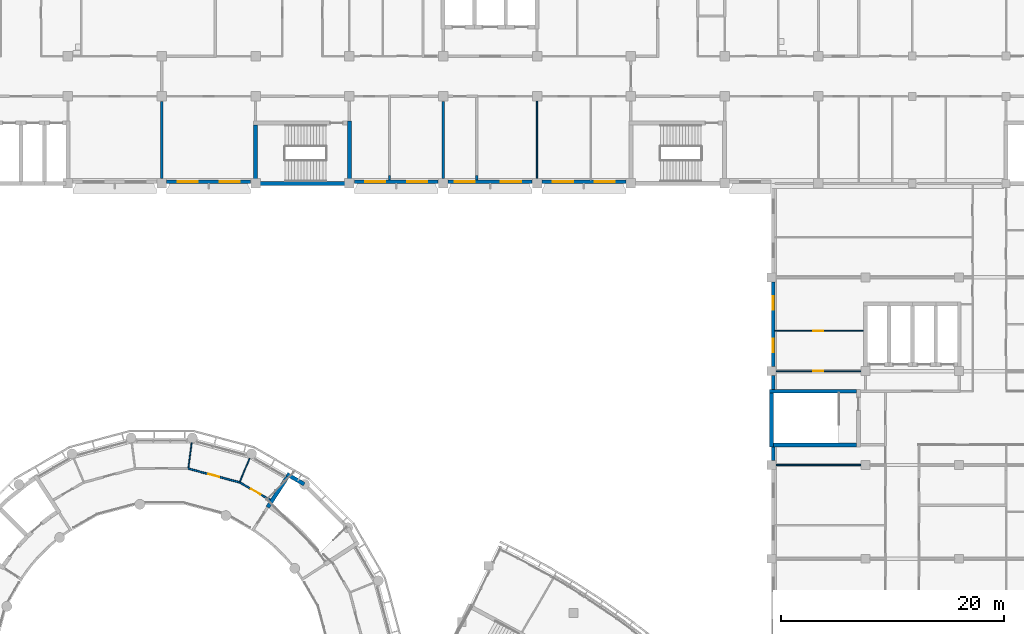
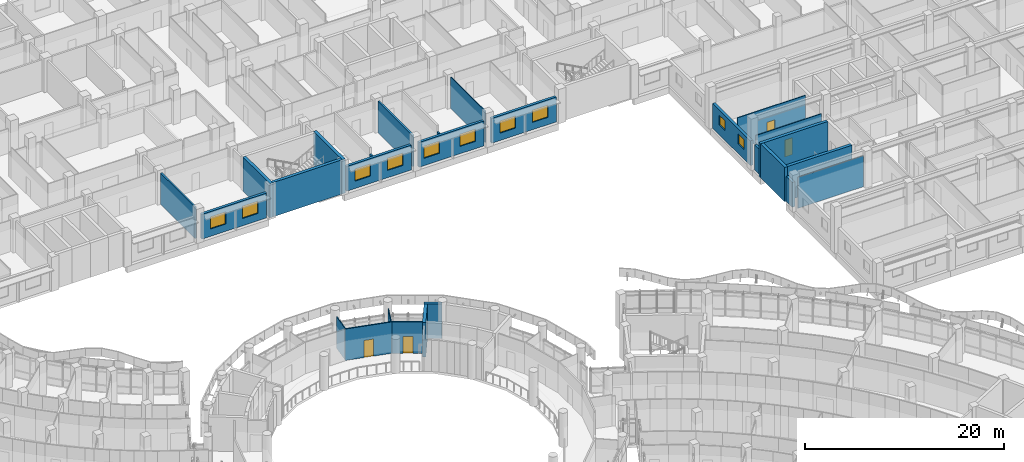
# One storey, part 61 of 109: 27 walls, 10 windows, 4 doors, 14 openings.
"""IFC4 building model written with IfcOpenShell, lengths in metres."""

from ifc_helpers import new_model, si_unit, direction, frame, frame_2d, origin, place, context, subcontext, project, spatial, rectangle, extrude, material, layer, layer_set, type_object, element, fill, save


model = new_model("IFC4")

# Units and contexts
model_context = context("Model", 3, precision=1e-05, world=origin(), true_north=direction((0.0, 1.0)))
body_context = subcontext(model_context, "Body", "Model", "MODEL_VIEW")
ifc_project = project(units=[si_unit("LENGTHUNIT", "METRE"), si_unit("AREAUNIT", "SQUARE_METRE"), si_unit("VOLUMEUNIT", "CUBIC_METRE"), si_unit("PLANEANGLEUNIT", "RADIAN"), si_unit("MASSUNIT", "GRAM", prefix="KILO")], contexts=[model_context])

# Site, building, storey
site_placement = place(None, origin())
site = spatial("IfcSite", under=ifc_project, at=site_placement, CompositionType="ELEMENT")
building_placement = place(site_placement, origin())
building = spatial("IfcBuilding", under=site, at=building_placement, Name="Bougainvillea Quay General Hospital", CompositionType="ELEMENT")
storey_placement = place(building_placement, frame((0.0, 0.0, 12.60009765625)))
storey = spatial("IfcBuildingStorey", under=building, at=storey_placement, Name="L02", CompositionType="ELEMENT", Elevation=12.60009765625)

# Wall, openings, windows
ifc_material_1 = material(Name="Pale stone rainscreen cladding on insulated masonry backing, pale stone", Category="masonry")
ifc_layer_1 = layer(ifc_material_1, 0.300048828125)
ifc_layer_set_1 = layer_set([ifc_layer_1], Name="Pale stone rainscreen cladding on insulated masonry backing, pale stone")
wall_type_1 = type_object("IfcWallType", Name="External wall pale stone rainscreen 300", PredefinedType="STANDARD", material=ifc_layer_set_1)
wall_1_placement = place(storey_placement, frame((163.949951171875, 108.800048828125, 0.0), z_axis=(0.0, 0.0, 1.0), x_axis=(0.0, -1.0, 0.0)))
wall_1 = element("IfcWall", 1, at=wall_1_placement, inside=storey, type_object=wall_type_1, Name="External wall wall/V3/L02/p0/00b", PredefinedType="STANDARD", context=body_context, shape_type="SweptSolid", body=[
    extrude(rectangle(XDim=7.60009765625, YDim=0.300048828125, at=frame_2d((3.800048828125, 0.0))), origin(), (0.0, 0.0, 1.0), 3.0498046875),
])
opening_1_placement = place(wall_1_placement, frame((1.300048828125, 0.0, 1.199951171875)))
opening_1 = element("IfcOpeningElement", 2, at=opening_1_placement, cuts=wall_1, Name="Opening W2", PredefinedType="OPENING", context=body_context, shape_type="SweptSolid", body=[
    extrude(rectangle(XDim=1.199951171875, YDim=1.199951171875, at=frame_2d((0.60009765625, 0.60009765625))), frame((0.0, 0.159912109375, 0.0), z_axis=(0.0, -1.0, 0.0), x_axis=(1.0, 0.0, 0.0)), (0.0, 0.0, 1.0), 0.320068359375),
])
opening_2_placement = place(wall_1_placement, frame((5.10009765625, 0.0, 1.199951171875)))
opening_2 = element("IfcOpeningElement", 3, at=opening_2_placement, cuts=wall_1, Name="Opening W2", PredefinedType="OPENING", context=body_context, shape_type="SweptSolid", body=[
    extrude(rectangle(XDim=1.199951171875, YDim=1.199951171875, at=frame_2d((0.60009765625, 0.60009765625))), frame((0.0, 0.159912109375, 0.0), z_axis=(0.0, -1.0, 0.0), x_axis=(1.0, 0.0, 0.0)), (0.0, 0.0, 1.0), 0.320068359375),
])
ifc_material_2 = material(Name="Aluminium window frame with low-e double glazed unit", Category="aluminium")
window_type_1 = type_object("IfcWindowType", Name="Window W2 1200x1200", PartitioningType="SINGLE_PANEL", PredefinedType="WINDOW", material=ifc_material_2)
window_1_placement = place(opening_1_placement, origin())
window_1 = element("IfcWindow", 4, at=window_1_placement, inside=storey, type_object=window_type_1, Name="Window W2 1", OverallHeight=1.199951171875, OverallWidth=1.199951171875, PartitioningType="SINGLE_PANEL", PredefinedType="WINDOW", context=body_context, shape_type="SweptSolid", body=[
    extrude(rectangle(XDim=1.199951171875, YDim=1.199951171875, at=frame_2d((0.60009765625, 0.60009765625))), frame((0.0, 0.030029296875, 0.0), z_axis=(0.0, -1.0, 0.0), x_axis=(1.0, 0.0, 0.0)), (0.0, 0.0, 1.0), 0.06005859375),
])
fill(opening_1, window_1)
window_2_placement = place(opening_2_placement, origin())
window_2 = element("IfcWindow", 5, at=window_2_placement, inside=storey, type_object=window_type_1, Name="Window W2 2", OverallHeight=1.199951171875, OverallWidth=1.199951171875, PartitioningType="SINGLE_PANEL", PredefinedType="WINDOW", context=body_context, shape_type="SweptSolid", body=[
    extrude(rectangle(XDim=1.199951171875, YDim=1.199951171875, at=frame_2d((0.60009765625, 0.60009765625))), frame((0.0, 0.030029296875, 0.0), z_axis=(0.0, -1.0, 0.0), x_axis=(1.0, 0.0, 0.0)), (0.0, 0.0, 1.0), 0.06005859375),
])
fill(opening_2, window_2)

wall_2_placement = place(storey_placement, frame((109.64990234375, 117.75, 0.0), z_axis=(0.0, 0.0, 1.0), x_axis=(1.0, 0.0, 0.0)))
wall_2 = element("IfcWall", 6, at=wall_2_placement, inside=storey, type_object=wall_type_1, Name="External wall wall/V4/L02/p1/04b", PredefinedType="STANDARD", context=body_context, shape_type="SweptSolid", body=[
    extrude(rectangle(XDim=7.5, YDim=0.300048828125, at=frame_2d((3.75, 0.0))), origin(), (0.0, 0.0, 1.0), 3.0498046875),
])
opening_3_placement = place(wall_2_placement, frame((0.97509765625, 0.0, 0.89990234375)))
opening_3 = element("IfcOpeningElement", 7, at=opening_3_placement, cuts=wall_2, Name="Opening W1", PredefinedType="OPENING", context=body_context, shape_type="SweptSolid", body=[
    extrude(rectangle(XDim=1.800048828125, YDim=1.5, at=frame_2d((0.89990234375, 0.75))), frame((0.0, 0.159912109375, 0.0), z_axis=(0.0, -1.0, 0.0), x_axis=(1.0, 0.0, 0.0)), (0.0, 0.0, 1.0), 0.320068359375),
])
opening_4_placement = place(wall_2_placement, frame((4.72509765625, 0.0, 0.89990234375)))
opening_4 = element("IfcOpeningElement", 8, at=opening_4_placement, cuts=wall_2, Name="Opening W1", PredefinedType="OPENING", context=body_context, shape_type="SweptSolid", body=[
    extrude(rectangle(XDim=1.800048828125, YDim=1.5, at=frame_2d((0.89990234375, 0.75))), frame((0.0, 0.159912109375, 0.0), z_axis=(0.0, -1.0, 0.0), x_axis=(1.0, 0.0, 0.0)), (0.0, 0.0, 1.0), 0.320068359375),
])
window_type_2 = type_object("IfcWindowType", Name="Window W1 1800x1500", PartitioningType="DOUBLE_PANEL_VERTICAL", PredefinedType="WINDOW", material=ifc_material_2)
window_3_placement = place(opening_3_placement, origin())
window_3 = element("IfcWindow", 9, at=window_3_placement, inside=storey, type_object=window_type_2, Name="Window W1 1", OverallHeight=1.5, OverallWidth=1.800048828125, PartitioningType="SINGLE_PANEL", PredefinedType="WINDOW", context=body_context, shape_type="SweptSolid", body=[
    extrude(rectangle(XDim=1.800048828125, YDim=1.5, at=frame_2d((0.89990234375, 0.75))), frame((0.0, 0.030029296875, 0.0), z_axis=(0.0, -1.0, 0.0), x_axis=(1.0, 0.0, 0.0)), (0.0, 0.0, 1.0), 0.06005859375),
])
fill(opening_3, window_3)
window_4_placement = place(opening_4_placement, origin())
window_4 = element("IfcWindow", 10, at=window_4_placement, inside=storey, type_object=window_type_2, Name="Window W1 2", OverallHeight=1.5, OverallWidth=1.800048828125, PartitioningType="SINGLE_PANEL", PredefinedType="WINDOW", context=body_context, shape_type="SweptSolid", body=[
    extrude(rectangle(XDim=1.800048828125, YDim=1.5, at=frame_2d((0.89990234375, 0.75))), frame((0.0, 0.030029296875, 0.0), z_axis=(0.0, -1.0, 0.0), x_axis=(1.0, 0.0, 0.0)), (0.0, 0.0, 1.0), 0.06005859375),
])
fill(opening_4, window_4)

wall_3_placement = place(storey_placement, frame((126.449951171875, 117.75, 0.0), z_axis=(0.0, 0.0, 1.0), x_axis=(1.0, 0.0, 0.0)))
wall_3 = element("IfcWall", 11, at=wall_3_placement, inside=storey, type_object=wall_type_1, Name="External wall wall/V4/L02/p1/04c", PredefinedType="STANDARD", context=body_context, shape_type="SweptSolid", body=[
    extrude(rectangle(XDim=7.5, YDim=0.300048828125, at=frame_2d((3.75, 0.0))), origin(), (0.0, 0.0, 1.0), 3.0498046875),
])
opening_5_placement = place(wall_3_placement, frame((0.97509765625, 0.0, 0.89990234375)))
opening_5 = element("IfcOpeningElement", 12, at=opening_5_placement, cuts=wall_3, Name="Opening W1", PredefinedType="OPENING", context=body_context, shape_type="SweptSolid", body=[
    extrude(rectangle(XDim=1.800048828125, YDim=1.5, at=frame_2d((0.89990234375, 0.75))), frame((0.0, 0.159912109375, 0.0), z_axis=(0.0, -1.0, 0.0), x_axis=(1.0, 0.0, 0.0)), (0.0, 0.0, 1.0), 0.320068359375),
])
opening_6_placement = place(wall_3_placement, frame((4.72509765625, 0.0, 0.89990234375)))
opening_6 = element("IfcOpeningElement", 13, at=opening_6_placement, cuts=wall_3, Name="Opening W1", PredefinedType="OPENING", context=body_context, shape_type="SweptSolid", body=[
    extrude(rectangle(XDim=1.800048828125, YDim=1.5, at=frame_2d((0.89990234375, 0.75))), frame((0.0, 0.159912109375, 0.0), z_axis=(0.0, -1.0, 0.0), x_axis=(1.0, 0.0, 0.0)), (0.0, 0.0, 1.0), 0.320068359375),
])
window_5_placement = place(opening_5_placement, origin())
window_5 = element("IfcWindow", 14, at=window_5_placement, inside=storey, type_object=window_type_2, Name="Window W1 1", OverallHeight=1.5, OverallWidth=1.800048828125, PartitioningType="SINGLE_PANEL", PredefinedType="WINDOW", context=body_context, shape_type="SweptSolid", body=[
    extrude(rectangle(XDim=1.800048828125, YDim=1.5, at=frame_2d((0.89990234375, 0.75))), frame((0.0, 0.030029296875, 0.0), z_axis=(0.0, -1.0, 0.0), x_axis=(1.0, 0.0, 0.0)), (0.0, 0.0, 1.0), 0.06005859375),
])
fill(opening_5, window_5)
window_6_placement = place(opening_6_placement, origin())
window_6 = element("IfcWindow", 15, at=window_6_placement, inside=storey, type_object=window_type_2, Name="Window W1 2", OverallHeight=1.5, OverallWidth=1.800048828125, PartitioningType="SINGLE_PANEL", PredefinedType="WINDOW", context=body_context, shape_type="SweptSolid", body=[
    extrude(rectangle(XDim=1.800048828125, YDim=1.5, at=frame_2d((0.89990234375, 0.75))), frame((0.0, 0.030029296875, 0.0), z_axis=(0.0, -1.0, 0.0), x_axis=(1.0, 0.0, 0.0)), (0.0, 0.0, 1.0), 0.06005859375),
])
fill(opening_6, window_6)

wall_4_placement = place(storey_placement, frame((134.85009765625, 117.75, 0.0), z_axis=(0.0, 0.0, 1.0), x_axis=(1.0, 0.0, 0.0)))
wall_4 = element("IfcWall", 16, at=wall_4_placement, inside=storey, type_object=wall_type_1, Name="External wall wall/V4/L02/p1/04d", PredefinedType="STANDARD", context=body_context, shape_type="SweptSolid", body=[
    extrude(rectangle(XDim=7.5, YDim=0.300048828125, at=frame_2d((3.75, 0.0))), origin(), (0.0, 0.0, 1.0), 3.0498046875),
])
opening_7_placement = place(wall_4_placement, frame((0.574951171875, 0.0, 0.89990234375)))
opening_7 = element("IfcOpeningElement", 17, at=opening_7_placement, cuts=wall_4, Name="Opening W1", PredefinedType="OPENING", context=body_context, shape_type="SweptSolid", body=[
    extrude(rectangle(XDim=1.800048828125, YDim=1.5, at=frame_2d((0.89990234375, 0.75))), frame((0.0, 0.159912109375, 0.0), z_axis=(0.0, -1.0, 0.0), x_axis=(1.0, 0.0, 0.0)), (0.0, 0.0, 1.0), 0.320068359375),
])
opening_8_placement = place(wall_4_placement, frame((4.72509765625, 0.0, 0.89990234375)))
opening_8 = element("IfcOpeningElement", 18, at=opening_8_placement, cuts=wall_4, Name="Opening W1", PredefinedType="OPENING", context=body_context, shape_type="SweptSolid", body=[
    extrude(rectangle(XDim=1.800048828125, YDim=1.5, at=frame_2d((0.89990234375, 0.75))), frame((0.0, 0.159912109375, 0.0), z_axis=(0.0, -1.0, 0.0), x_axis=(1.0, 0.0, 0.0)), (0.0, 0.0, 1.0), 0.320068359375),
])
window_7_placement = place(opening_7_placement, origin())
window_7 = element("IfcWindow", 19, at=window_7_placement, inside=storey, type_object=window_type_2, Name="Window W1 1", OverallHeight=1.5, OverallWidth=1.800048828125, PartitioningType="SINGLE_PANEL", PredefinedType="WINDOW", context=body_context, shape_type="SweptSolid", body=[
    extrude(rectangle(XDim=1.800048828125, YDim=1.5, at=frame_2d((0.89990234375, 0.75))), frame((0.0, 0.030029296875, 0.0), z_axis=(0.0, -1.0, 0.0), x_axis=(1.0, 0.0, 0.0)), (0.0, 0.0, 1.0), 0.06005859375),
])
fill(opening_7, window_7)
window_8_placement = place(opening_8_placement, origin())
window_8 = element("IfcWindow", 20, at=window_8_placement, inside=storey, type_object=window_type_2, Name="Window W1 2", OverallHeight=1.5, OverallWidth=1.800048828125, PartitioningType="SINGLE_PANEL", PredefinedType="WINDOW", context=body_context, shape_type="SweptSolid", body=[
    extrude(rectangle(XDim=1.800048828125, YDim=1.5, at=frame_2d((0.89990234375, 0.75))), frame((0.0, 0.030029296875, 0.0), z_axis=(0.0, -1.0, 0.0), x_axis=(1.0, 0.0, 0.0)), (0.0, 0.0, 1.0), 0.06005859375),
])
fill(opening_8, window_8)

wall_5_placement = place(storey_placement, frame((143.25, 117.75, 0.0), z_axis=(0.0, 0.0, 1.0), x_axis=(1.0, 0.0, 0.0)))
wall_5 = element("IfcWall", 21, at=wall_5_placement, inside=storey, type_object=wall_type_1, Name="External wall wall/V4/L02/p1/04e", PredefinedType="STANDARD", context=body_context, shape_type="SweptSolid", body=[
    extrude(rectangle(XDim=7.5, YDim=0.300048828125, at=frame_2d((3.75, 0.0))), origin(), (0.0, 0.0, 1.0), 3.0498046875),
])
opening_9_placement = place(wall_5_placement, frame((0.97509765625, 0.0, 0.89990234375)))
opening_9 = element("IfcOpeningElement", 22, at=opening_9_placement, cuts=wall_5, Name="Opening W1", PredefinedType="OPENING", context=body_context, shape_type="SweptSolid", body=[
    extrude(rectangle(XDim=1.800048828125, YDim=1.5, at=frame_2d((0.89990234375, 0.75))), frame((0.0, 0.159912109375, 0.0), z_axis=(0.0, -1.0, 0.0), x_axis=(1.0, 0.0, 0.0)), (0.0, 0.0, 1.0), 0.320068359375),
])
opening_10_placement = place(wall_5_placement, frame((4.72509765625, 0.0, 0.89990234375)))
opening_10 = element("IfcOpeningElement", 23, at=opening_10_placement, cuts=wall_5, Name="Opening W1", PredefinedType="OPENING", context=body_context, shape_type="SweptSolid", body=[
    extrude(rectangle(XDim=1.800048828125, YDim=1.5, at=frame_2d((0.89990234375, 0.75))), frame((0.0, 0.159912109375, 0.0), z_axis=(0.0, -1.0, 0.0), x_axis=(1.0, 0.0, 0.0)), (0.0, 0.0, 1.0), 0.320068359375),
])
window_9_placement = place(opening_9_placement, origin())
window_9 = element("IfcWindow", 24, at=window_9_placement, inside=storey, type_object=window_type_2, Name="Window W1 1", OverallHeight=1.5, OverallWidth=1.800048828125, PartitioningType="SINGLE_PANEL", PredefinedType="WINDOW", context=body_context, shape_type="SweptSolid", body=[
    extrude(rectangle(XDim=1.800048828125, YDim=1.5, at=frame_2d((0.89990234375, 0.75))), frame((0.0, 0.030029296875, 0.0), z_axis=(0.0, -1.0, 0.0), x_axis=(1.0, 0.0, 0.0)), (0.0, 0.0, 1.0), 0.06005859375),
])
fill(opening_9, window_9)
window_10_placement = place(opening_10_placement, origin())
window_10 = element("IfcWindow", 25, at=window_10_placement, inside=storey, type_object=window_type_2, Name="Window W1 2", OverallHeight=1.5, OverallWidth=1.800048828125, PartitioningType="SINGLE_PANEL", PredefinedType="WINDOW", context=body_context, shape_type="SweptSolid", body=[
    extrude(rectangle(XDim=1.800048828125, YDim=1.5, at=frame_2d((0.89990234375, 0.75))), frame((0.0, 0.030029296875, 0.0), z_axis=(0.0, -1.0, 0.0), x_axis=(1.0, 0.0, 0.0)), (0.0, 0.0, 1.0), 0.06005859375),
])
fill(opening_10, window_10)

# Walls
ifc_material_3 = material(Name="Terracotta rainscreen cladding on insulated masonry backing, terracotta", Category="masonry")
ifc_layer_2 = layer(ifc_material_3, 0.300048828125)
ifc_layer_set_2 = layer_set([ifc_layer_2], Name="Terracotta rainscreen cladding on insulated masonry backing, terracotta")
wall_type_2 = type_object("IfcWallType", Name="External wall terracotta rainscreen 300", PredefinedType="STANDARD", material=ifc_layer_set_2)
for number, where, z_axis, x_axis, name in (
    (26, (163.949951171875, 100.39990234375, 0.0), (0.0, 0.0, 1.0), (0.0, -1.0, 0.0), "External wall wall/V3/L02/p0/00c"),
    (27, (163.949951171875, 94.02490234375, 0.0), (0.0, 0.0, 1.0), (0.0, -1.0, 0.0), "External wall wall/V3/L02/p0/00d"),
):
    element("IfcWall", number, at=place(storey_placement, frame(where, z_axis=z_axis, x_axis=x_axis)), inside=storey, type_object=wall_type_2, Name=name, PredefinedType="STANDARD", context=body_context, shape_type="SweptSolid", body=[
        extrude(rectangle(XDim=1.224853515625, YDim=0.300048828125, at=frame_2d((0.6123046875, 0.0))), origin(), (0.0, 0.0, 1.0), 3.0498046875),
    ])
ifc_material_4 = material(Name="Gypsum board partition on steel studs", Category="steel")
ifc_layer_3 = layer(ifc_material_4, 0.10009765625)
ifc_layer_set_3 = layer_set([ifc_layer_3], Name="Gypsum board partition on steel studs")
wall_type_3 = type_object("IfcWallType", Name="Partition 100 Gypsum board partition", PredefinedType="PARTITIONING", material=ifc_layer_set_3)
wall_6_placement = place(storey_placement, frame((164.199951171875, 92.39990234375, 0.0), z_axis=(0.0, 0.0, 1.0), x_axis=(1.0, 0.0, 0.0)))
element("IfcWall", 28, at=wall_6_placement, inside=storey, type_object=wall_type_3, Name="Partition 100 mm", PredefinedType="PARTITIONING", context=body_context, shape_type="SweptSolid", body=[
    extrude(rectangle(XDim=7.60009765625, YDim=0.10009765625, at=frame_2d((3.800048828125, 0.0))), origin(), (0.0, 0.0, 1.0), 3.789794921875),
])

# Wall, opening, door
wall_7_placement = place(storey_placement, frame((164.199951171875, 100.800048828125, 0.0), z_axis=(0.0, 0.0, 1.0), x_axis=(1.0, 0.0, 0.0)))
wall_7 = element("IfcWall", 29, at=wall_7_placement, inside=storey, type_object=wall_type_3, Name="Partition 100 mm", PredefinedType="PARTITIONING", context=body_context, shape_type="SweptSolid", body=[
    extrude(rectangle(XDim=7.60009765625, YDim=0.10009765625, at=frame_2d((3.800048828125, 0.0))), origin(), (0.0, 0.0, 1.0), 3.849853515625),
])
opening_11_placement = place(wall_7_placement, frame((3.35009765625, 0.0, 0.0)))
opening_11 = element("IfcOpeningElement", 30, at=opening_11_placement, cuts=wall_7, Name="Opening L02.174", PredefinedType="OPENING", context=body_context, shape_type="SweptSolid", body=[
    extrude(rectangle(XDim=0.89990234375, YDim=2.10009765625, at=frame_2d((0.449951171875, 1.050048828125))), frame((0.0, 0.06005859375, 0.0), z_axis=(0.0, -1.0, 0.0), x_axis=(1.0, 0.0, 0.0)), (0.0, 0.0, 1.0), 0.1201171875),
])
ifc_material_5 = material(Name="Solid-core timber door leaf in steel frame", Category="steel")
door_type_1 = type_object("IfcDoorType", Name="Single leaf door 900x2100", OperationType="NOTDEFINED", PredefinedType="DOOR", material=ifc_material_5)
door_1_placement = place(opening_11_placement, frame((0.89990234375, 0.0, 0.0), z_axis=(0.0, 0.0, 1.0), x_axis=(-1.0, 0.0, 0.0)))
door_1 = element("IfcDoor", 31, at=door_1_placement, inside=storey, type_object=door_type_1, Name="DT07 L02.174", OperationType="SINGLE_SWING_RIGHT", OverallHeight=2.10009765625, OverallWidth=0.89990234375, PredefinedType="DOOR", context=body_context, shape_type="SweptSolid", body=[
    extrude(rectangle(XDim=0.89990234375, YDim=2.10009765625, at=frame_2d((0.449951171875, 1.050048828125))), frame((0.0, 0.02490234375, 0.0), z_axis=(0.0, -1.0, 0.0), x_axis=(1.0, 0.0, 0.0)), (0.0, 0.0, 1.0), 0.050048828125),
])
fill(opening_11, door_1)

wall_8_placement = place(storey_placement, frame((164.10009765625, 104.39794921875, 0.0), z_axis=(0.0, 0.0, 1.0), x_axis=(1.0, 0.0, 0.0)))
wall_8 = element("IfcWall", 32, at=wall_8_placement, inside=storey, type_object=wall_type_3, Name="Partition 100 mm", PredefinedType="PARTITIONING", context=body_context, shape_type="SweptSolid", body=[
    extrude(rectangle(XDim=7.9248046875, YDim=0.10009765625, at=frame_2d((3.96240234375, 0.0))), origin(), (0.0, 0.0, 1.0), 3.849853515625),
])
opening_12_placement = place(wall_8_placement, frame((3.449951171875, 0.0, 0.0)))
opening_12 = element("IfcOpeningElement", 33, at=opening_12_placement, cuts=wall_8, Name="Opening L02.173", PredefinedType="OPENING", context=body_context, shape_type="SweptSolid", body=[
    extrude(rectangle(XDim=0.89990234375, YDim=2.10009765625, at=frame_2d((0.449951171875, 1.050048828125))), frame((0.0, 0.06005859375, 0.0), z_axis=(0.0, -1.0, 0.0), x_axis=(1.0, 0.0, 0.0)), (0.0, 0.0, 1.0), 0.1201171875),
])
door_2_placement = place(opening_12_placement, frame((0.89990234375, 0.0, 0.0), z_axis=(0.0, 0.0, 1.0), x_axis=(-1.0, 0.0, 0.0)))
door_2 = element("IfcDoor", 34, at=door_2_placement, inside=storey, type_object=door_type_1, Name="DT07 L02.173", OperationType="SINGLE_SWING_RIGHT", OverallHeight=2.10009765625, OverallWidth=0.89990234375, PredefinedType="DOOR", context=body_context, shape_type="SweptSolid", body=[
    extrude(rectangle(XDim=0.89990234375, YDim=2.10009765625, at=frame_2d((0.449951171875, 1.050048828125))), frame((0.0, 0.02490234375, 0.0), z_axis=(0.0, -1.0, 0.0), x_axis=(1.0, 0.0, 0.0)), (0.0, 0.0, 1.0), 0.050048828125),
])
fill(opening_12, door_2)

# Walls
wall_9_placement = place(storey_placement, frame((142.800048828125, 118.050048828125, 0.0), z_axis=(0.0, 0.0, 1.0), x_axis=(0.0, 1.0, 0.0)))
element("IfcWall", 35, at=wall_9_placement, inside=storey, type_object=wall_type_3, Name="Partition 100 mm", PredefinedType="PARTITIONING", context=body_context, shape_type="SweptSolid", body=[
    extrude(rectangle(XDim=6.89990234375, YDim=0.10009765625, at=frame_2d((3.449951171875, 0.0))), origin(), (0.0, 0.0, 1.0), 3.849853515625),
])
ifc_layer_4 = layer(ifc_material_4, 0.10009765625)
ifc_layer_set_4 = layer_set([ifc_layer_4], Name="Gypsum board partition on steel studs")
wall_type_4 = type_object("IfcWallType", Name="Partition 100 Gypsum board partition EI 30", PredefinedType="PARTITIONING", material=ifc_layer_set_4)
for number, where, z_axis, x_axis, name in (
    (36, (116.206298828125, 90.915771484375, 0.0), (0.0, 0.0, 1.0), (0.382829249812, 0.923819119465, 0.0), "Partition 100 mm EI 30"),
    (37, (111.589599609375, 92.1533203125, 0.0), (0.0, 0.0, 1.0), (0.13062345865, 0.991432051151, 0.0), "Partition 100 mm EI 30"),
):
    element("IfcWall", number, at=place(storey_placement, frame(where, z_axis=z_axis, x_axis=x_axis)), inside=storey, type_object=wall_type_4, Name=name, PredefinedType="PARTITIONING", context=body_context, shape_type="SweptSolid", body=[
        extrude(rectangle(XDim=2.242919921875, YDim=0.10009765625, at=frame_2d((1.12158203125, 0.0))), origin(), (0.0, 0.0, 1.0), 3.849853515625),
    ])

# Wall, opening, door
ifc_material_6 = material(Name="Gypsum board partition on steel studs, insulated", Category="steel")
ifc_layer_5 = layer(ifc_material_6, 0.14990234375)
ifc_layer_set_5 = layer_set([ifc_layer_5], Name="Gypsum board partition on steel studs, insulated")
wall_type_5 = type_object("IfcWallType", Name="Partition 150 Gypsum board partition EI 30", PredefinedType="PARTITIONING", material=ifc_layer_set_5)
wall_10_placement = place(storey_placement, frame((111.506591796875, 92.09130859375, 0.0), z_axis=(0.0, 0.0, 1.0), x_axis=(0.965901416029, -0.258910128254, 0.0)))
wall_10 = element("IfcWall", 38, at=wall_10_placement, inside=storey, type_object=wall_type_5, Name="Partition 150 mm EI 30", PredefinedType="PARTITIONING", context=body_context, shape_type="SweptSolid", body=[
    extrude(rectangle(XDim=4.908203125, YDim=0.14990234375, at=frame_2d((2.4541015625, 0.0))), origin(), (0.0, 0.0, 1.0), 3.849853515625),
])
opening_13_placement = place(wall_10_placement, frame((1.9541015625, 0.0, 0.0)))
opening_13 = element("IfcOpeningElement", 39, at=opening_13_placement, cuts=wall_10, Name="Opening L02.239", PredefinedType="OPENING", context=body_context, shape_type="SweptSolid", body=[
    extrude(rectangle(XDim=1.0, YDim=2.10009765625, at=frame_2d((0.5, 1.050048828125))), frame((0.0, 0.0849609375, 0.0), z_axis=(0.0, -1.0, 0.0), x_axis=(1.0, 0.0, 0.0)), (0.0, 0.0, 1.0), 0.169921875),
])
door_type_2 = type_object("IfcDoorType", Name="Single leaf door 1000x2100 FD30S", OperationType="NOTDEFINED", PredefinedType="DOOR", material=ifc_material_5)
door_3_placement = place(opening_13_placement, origin())
door_3 = element("IfcDoor", 40, at=door_3_placement, inside=storey, type_object=door_type_2, Name="DT15 L02.239", OperationType="SINGLE_SWING_LEFT", OverallHeight=2.10009765625, OverallWidth=1.0, PredefinedType="DOOR", context=body_context, shape_type="SweptSolid", body=[
    extrude(rectangle(XDim=1.0, YDim=2.10009765625, at=frame_2d((0.5, 1.050048828125))), frame((0.0, 0.02490234375, 0.0), z_axis=(0.0, -1.0, 0.0), x_axis=(1.0, 0.0, 0.0)), (0.0, 0.0, 1.0), 0.050048828125),
])
fill(opening_13, door_3)

wall_11_placement = place(storey_placement, frame((116.22509765625, 90.81103515625, 0.0), z_axis=(0.0, 0.0, 1.0), x_axis=(0.866085584755, -0.499895749011, 0.0)))
wall_11 = element("IfcWall", 41, at=wall_11_placement, inside=storey, type_object=wall_type_5, Name="Partition 150 mm EI 30", PredefinedType="PARTITIONING", context=body_context, shape_type="SweptSolid", body=[
    extrude(rectangle(XDim=3.089599609375, YDim=0.14990234375, at=frame_2d((1.544921875, 0.0))), origin(), (0.0, 0.0, 1.0), 3.849853515625),
])
opening_14_placement = place(wall_11_placement, frame((1.105224609375, 0.0, 0.0)))
opening_14 = element("IfcOpeningElement", 42, at=opening_14_placement, cuts=wall_11, Name="Opening L02.238", PredefinedType="OPENING", context=body_context, shape_type="SweptSolid", body=[
    extrude(rectangle(XDim=1.0, YDim=2.10009765625, at=frame_2d((0.5, 1.050048828125))), frame((0.0, 0.0849609375, 0.0), z_axis=(0.0, -1.0, 0.0), x_axis=(1.0, 0.0, 0.0)), (0.0, 0.0, 1.0), 0.169921875),
])
door_4_placement = place(opening_14_placement, origin())
door_4 = element("IfcDoor", 43, at=door_4_placement, inside=storey, type_object=door_type_2, Name="DT15 L02.238", OperationType="SINGLE_SWING_RIGHT", OverallHeight=2.10009765625, OverallWidth=1.0, PredefinedType="DOOR", context=body_context, shape_type="SweptSolid", body=[
    extrude(rectangle(XDim=1.0, YDim=2.10009765625, at=frame_2d((0.5, 1.050048828125))), frame((0.0, 0.02490234375, 0.0), z_axis=(0.0, -1.0, 0.0), x_axis=(1.0, 0.0, 0.0)), (0.0, 0.0, 1.0), 0.050048828125),
])
fill(opening_14, door_4)

# Walls
ifc_material_7 = material(Name="Fire-rated autoclaved aerated block wall, plastered")
ifc_layer_6 = layer(ifc_material_7, 0.199951171875)
ifc_layer_set_6 = layer_set([ifc_layer_6], Name="Fire-rated autoclaved aerated block wall, plastered")
wall_type_6 = type_object("IfcWallType", Name="Partition 200 Fire-rated autoclaved aerated block wall EI 120", PredefinedType="SOLIDWALL", material=ifc_layer_set_6)
wall_12_placement = place(storey_placement, frame((109.197998046875, 118.050048828125, 0.0), z_axis=(0.0, 0.0, 1.0), x_axis=(0.0, 1.0, 0.0)))
element("IfcWall", 44, at=wall_12_placement, inside=storey, type_object=wall_type_6, Name="Partition 200 mm EI 120", PredefinedType="SOLIDWALL", context=body_context, shape_type="SweptSolid", body=[
    extrude(rectangle(XDim=6.89990234375, YDim=0.199951171875, at=frame_2d((3.449951171875, 0.0))), origin(), (0.0, 0.0, 1.0), 3.849853515625),
])
ifc_layer_7 = layer(ifc_material_7, 0.199951171875)
ifc_layer_set_7 = layer_set([ifc_layer_7], Name="Fire-rated autoclaved aerated block wall, plastered")
wall_type_7 = type_object("IfcWallType", Name="Partition 200 Fire-rated autoclaved aerated block wall EI 60", PredefinedType="SOLIDWALL", material=ifc_layer_set_7)
wall_13_placement = place(storey_placement, frame((129.60009765625, 117.89990234375, 0.0), z_axis=(0.0, 0.0, 1.0), x_axis=(0.0, 1.0, 0.0)))
element("IfcWall", 45, at=wall_13_placement, inside=storey, type_object=wall_type_7, Name="Partition 200 mm EI 60", PredefinedType="SOLIDWALL", context=body_context, shape_type="SweptSolid", body=[
    extrude(rectangle(XDim=0.400146484375, YDim=0.199951171875, at=frame_2d((0.2001953125, 0.0))), origin(), (0.0, 0.0, 1.0), 3.079833984375),
])
wall_14_placement = place(storey_placement, frame((134.39990234375, 118.050048828125, 0.0), z_axis=(0.0, 0.0, 1.0), x_axis=(0.0, 1.0, 0.0)))
element("IfcWall", 46, at=wall_14_placement, inside=storey, type_object=wall_type_7, Name="Partition 200 mm EI 60", PredefinedType="SOLIDWALL", context=body_context, shape_type="SweptSolid", body=[
    extrude(rectangle(XDim=6.89990234375, YDim=0.199951171875, at=frame_2d((3.449951171875, 0.0))), origin(), (0.0, 0.0, 1.0), 3.849853515625),
])
wall_15_placement = place(storey_placement, frame((137.39990234375, 117.89990234375, 0.0), z_axis=(0.0, 0.0, 1.0), x_axis=(0.0, 1.0, 0.0)))
element("IfcWall", 47, at=wall_15_placement, inside=storey, type_object=wall_type_7, Name="Partition 200 mm EI 60", PredefinedType="SOLIDWALL", context=body_context, shape_type="SweptSolid", body=[
    extrude(rectangle(XDim=0.400146484375, YDim=0.199951171875, at=frame_2d((0.2001953125, 0.0))), origin(), (0.0, 0.0, 1.0), 3.079833984375),
])
ifc_material_8 = material(Name="Concrete C40", Category="concrete")
ifc_layer_8 = layer(ifc_material_8, 0.35009765625)
ifc_layer_set_8 = layer_set([ifc_layer_8], Name="Concrete C40")
wall_type_8 = type_object("IfcWallType", Name="RC SHEAR WALL 350 C40", PredefinedType="SHEAR", material=ifc_layer_set_8)
wall_16_placement = place(storey_placement, frame((117.60009765625, 117.425048828125, 0.0), z_axis=(0.0, 0.0, 1.0), x_axis=(0.0, 1.0, 0.0)))
element("IfcWall", 48, at=wall_16_placement, inside=storey, type_object=wall_type_8, Name="Shear wall L02", PredefinedType="SHEAR", context=body_context, shape_type="SweptSolid", body=[
    extrude(rectangle(XDim=5.39990234375, YDim=0.35009765625, at=frame_2d((2.699951171875, 0.0))), origin(), (0.0, 0.0, 1.0), 4.199951171875),
])
wall_17_placement = place(storey_placement, frame((117.77490234375, 117.60009765625, 0.0), z_axis=(0.0, 0.0, 1.0), x_axis=(1.0, 0.0, 0.0)))
element("IfcWall", 49, at=wall_17_placement, inside=storey, type_object=wall_type_8, Name="Shear wall L02", PredefinedType="SHEAR", context=body_context, shape_type="SweptSolid", body=[
    extrude(rectangle(XDim=8.050048828125, YDim=0.35009765625, at=frame_2d((4.02490234375, 0.0))), origin(), (0.0, 0.0, 1.0), 4.199951171875),
])
wall_18_placement = place(storey_placement, frame((118.690673828125, 88.6142578125, 0.0), z_axis=(0.0, 0.0, 1.0), x_axis=(0.544668615038, 0.838651357712, 0.0)))
element("IfcWall", 50, at=wall_18_placement, inside=storey, type_object=wall_type_8, Name="Shear wall L02", PredefinedType="SHEAR", context=body_context, shape_type="SweptSolid", body=[
    extrude(rectangle(XDim=3.248046875, YDim=0.35009765625, at=frame_2d((1.6240234375, 0.0))), origin(), (0.0, 0.0, 1.0), 4.199951171875),
])
wall_19_placement = place(storey_placement, frame((120.403564453125, 91.572509765625, 0.0), z_axis=(0.0, 0.0, 1.0), x_axis=(0.866050214951, -0.499957023337, 0.0)))
element("IfcWall", 51, at=wall_19_placement, inside=storey, type_object=wall_type_8, Name="Shear wall L02", PredefinedType="SHEAR", context=body_context, shape_type="SweptSolid", body=[
    extrude(rectangle(XDim=1.802001953125, YDim=0.35009765625, at=frame_2d((0.90087890625, 0.0))), origin(), (0.0, 0.0, 1.0), 4.199951171875),
])
wall_20_placement = place(storey_placement, frame((126.0, 117.425048828125, 0.0), z_axis=(0.0, 0.0, 1.0), x_axis=(0.0, 1.0, 0.0)))
element("IfcWall", 52, at=wall_20_placement, inside=storey, type_object=wall_type_8, Name="Shear wall L02", PredefinedType="SHEAR", context=body_context, shape_type="SweptSolid", body=[
    extrude(rectangle(XDim=5.75, YDim=0.35009765625, at=frame_2d((2.875, 0.0))), origin(), (0.0, 0.0, 1.0), 4.199951171875),
])
wall_21_placement = place(storey_placement, frame((163.625, 99.0, 0.0), z_axis=(0.0, 0.0, 1.0), x_axis=(1.0, 0.0, 0.0)))
element("IfcWall", 53, at=wall_21_placement, inside=storey, type_object=wall_type_8, Name="Shear wall L02", PredefinedType="SHEAR", context=body_context, shape_type="SweptSolid", body=[
    extrude(rectangle(XDim=7.800048828125, YDim=0.35009765625, at=frame_2d((3.89990234375, 0.0))), origin(), (0.0, 0.0, 1.0), 4.199951171875),
])
wall_22_placement = place(storey_placement, frame((163.800048828125, 94.02490234375, 0.0), z_axis=(0.0, 0.0, 1.0), x_axis=(0.0, 1.0, 0.0)))
element("IfcWall", 54, at=wall_22_placement, inside=storey, type_object=wall_type_8, Name="Shear wall L02", PredefinedType="SHEAR", context=body_context, shape_type="SweptSolid", body=[
    extrude(rectangle(XDim=4.800048828125, YDim=0.35009765625, at=frame_2d((2.39990234375, 0.0))), origin(), (0.0, 0.0, 1.0), 4.199951171875),
])
wall_23_placement = place(storey_placement, frame((163.97509765625, 94.199951171875, 0.0), z_axis=(0.0, 0.0, 1.0), x_axis=(1.0, 0.0, 0.0)))
element("IfcWall", 55, at=wall_23_placement, inside=storey, type_object=wall_type_8, Name="Shear wall L02", PredefinedType="SHEAR", context=body_context, shape_type="SweptSolid", body=[
    extrude(rectangle(XDim=7.449951171875, YDim=0.35009765625, at=frame_2d((3.72509765625, 0.0))), origin(), (0.0, 0.0, 1.0), 4.199951171875),
])

save(model, "model.ifc")
